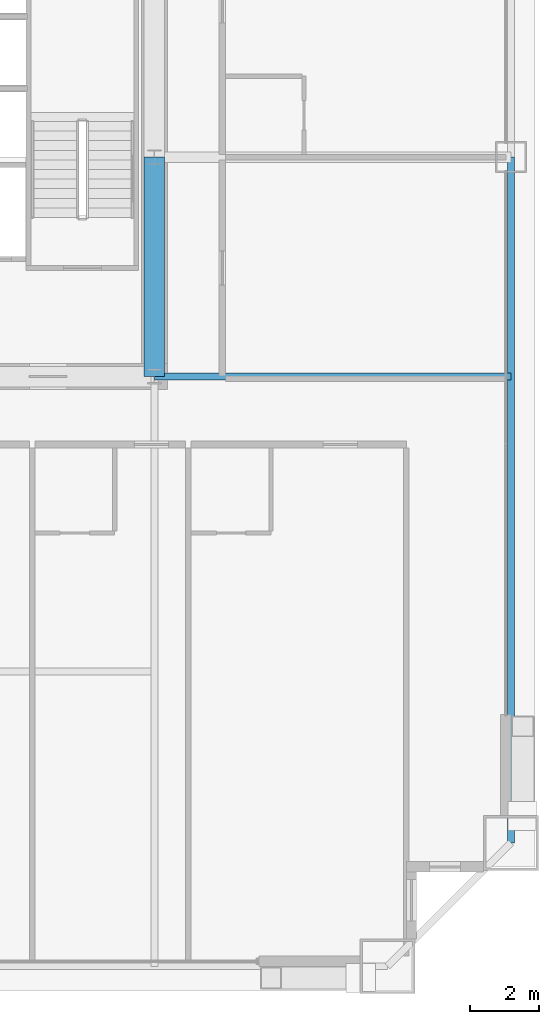
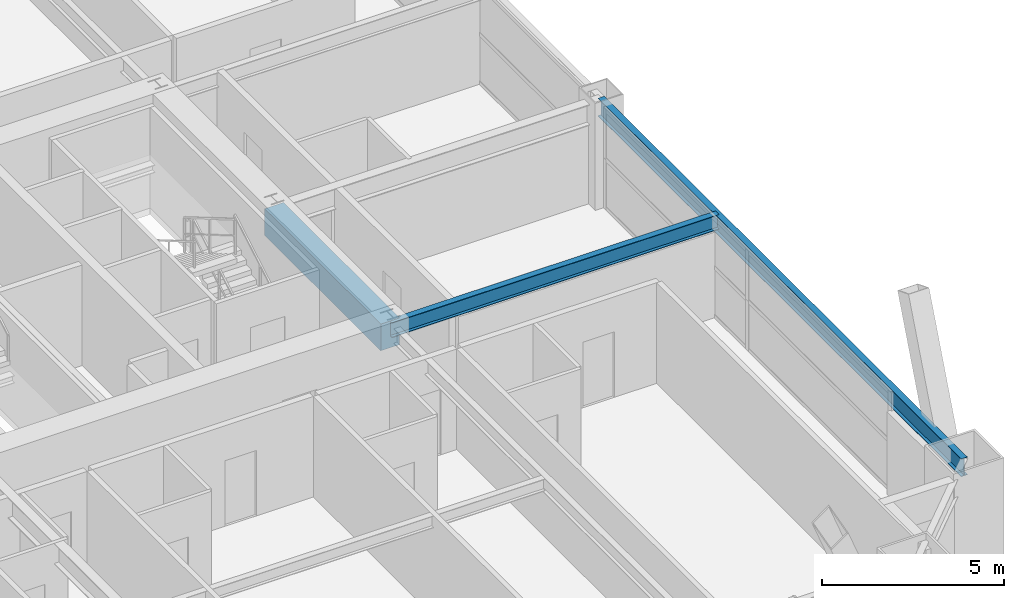
# One storey, part 19 of 43: 3 beams.
"""IFC4 building model written with IfcOpenShell, lengths in metres."""

from ifc_helpers import new_model, si_unit, direction, frame, origin, origin_2d, place, context, subcontext, project, spatial, rectangle, i_section, extrude, source, transform, mapped, material, material_profile, profile_set, type_object, element, save


model = new_model("IFC4")

# Units and contexts
model_context = context("Model", 3, precision=1e-05, world=origin(), true_north=direction((0.0, 1.0)))
body_context = subcontext(model_context, "Body", "Model", "MODEL_VIEW")
ifc_project = project(units=[si_unit("LENGTHUNIT", "METRE"), si_unit("AREAUNIT", "SQUARE_METRE"), si_unit("VOLUMEUNIT", "CUBIC_METRE"), si_unit("PLANEANGLEUNIT", "RADIAN"), si_unit("MASSUNIT", "GRAM", prefix="KILO"), si_unit("THERMODYNAMICTEMPERATUREUNIT", "KELVIN"), si_unit("POWERUNIT", "WATT")], contexts=[model_context])

# Site, building, storey
site_placement = place(None, origin())
site = spatial("IfcSite", under=ifc_project, at=site_placement, CompositionType="ELEMENT")
building_placement = place(site_placement, origin())
building = spatial("IfcBuilding", under=site, at=building_placement, Name="Yuzanri Waterfront Tower", CompositionType="ELEMENT")
storey_placement = place(building_placement, frame((0.0, 0.0, 93.800048828125)))
storey = spatial("IfcBuildingStorey", under=building, at=storey_placement, Name="L24", CompositionType="ELEMENT", Elevation=93.800048828125)

# Beams
ifc_material_1 = material(Name="Concrete C60", Category="concrete")
ifc_material_profile_1 = material_profile(ifc_material_1, rectangle(XDim=0.60009765625, YDim=0.89990234375, at=origin_2d()), Name="RC 600x900")
ifc_profile_set_1 = profile_set([ifc_material_profile_1], Name="Concrete C60")
beam_type_1 = type_object("IfcBeamType", Name="Core Coupling Lintel Concrete C60 600x900", PredefinedType="LINTEL", material=ifc_profile_set_1)
shared_shape_1 = source(origin(), body_context, "Body", "SweptSolid", [
    extrude(rectangle(XDim=0.60009765625, YDim=0.89990234375, at=origin_2d()), origin(), (0.0, 0.0, 1.0), 6.400146484375),
])
beam_1_placement = place(storey_placement, frame((50.199951171875, 19.39990234375, 2.929931640625), z_axis=(0.0, 1.0, 0.0), x_axis=(-1.0, 0.0, 0.0)))
element("IfcBeam", 1, at=beam_1_placement, inside=storey, type_object=beam_type_1, Name="L24 Core Tie Beam CE1", PredefinedType="LINTEL", context=body_context, shape_type="MappedRepresentation", body=[
    mapped(shared_shape_1, transform((0.0, 0.0, 0.0), scale=1.0)),
])
ifc_material_2 = material(Name="Steel Q355B", Category="steel")
ifc_material_profile_2 = material_profile(ifc_material_2, i_section(OverallWidth=0.199951171875, OverallDepth=0.60009765625, WebThickness=0.010986328125, FlangeThickness=0.01708984375, at=origin_2d()), Name="HN 600x200x11x17")
ifc_profile_set_2 = profile_set([ifc_material_profile_2], Name="Steel Q355B")
beam_type_2 = type_object("IfcBeamType", Name="Perimeter Spandrel Q355B HN 600x200", PredefinedType="SPANDREL", material=ifc_profile_set_2)
shared_shape_2 = source(origin(), body_context, "Body", "SweptSolid", [
    extrude(i_section(OverallWidth=0.199951171875, OverallDepth=0.60009765625, WebThickness=0.010986328125, FlangeThickness=0.01708984375, at=origin_2d()), origin(), (0.0, 0.0, 1.0), 20.0),
])
beam_2_placement = place(storey_placement, frame((60.60009765625, 5.800048828125, 3.079833984375), z_axis=(0.0, 1.0, 0.0), x_axis=(-1.0, 0.0, 0.0)))
element("IfcBeam", 2, at=beam_2_placement, inside=storey, type_object=beam_type_2, Name="L24 Perimeter Spandrel E1-E2", PredefinedType="SPANDREL", context=body_context, shape_type="MappedRepresentation", body=[
    mapped(shared_shape_2, transform((0.0, 0.0, 0.0), scale=1.0)),
])
ifc_material_3 = material(Name="Steel Q355B", Category="steel")
ifc_material_profile_3 = material_profile(ifc_material_3, i_section(OverallWidth=0.199951171875, OverallDepth=0.5, WebThickness=0.010009765625, FlangeThickness=0.01611328125, at=origin_2d()), Name="HN 500x200x10x16")
ifc_profile_set_3 = profile_set([ifc_material_profile_3], Name="Steel Q355B")
beam_type_3 = type_object("IfcBeamType", Name="Secondary Floor Beam Q355B HN 500x200", PredefinedType="BEAM", material=ifc_profile_set_3)
shared_shape_3 = source(origin(), body_context, "Body", "SweptSolid", [
    extrude(i_section(OverallWidth=0.199951171875, OverallDepth=0.5, WebThickness=0.010009765625, FlangeThickness=0.01611328125, at=origin_2d()), origin(), (0.0, 0.0, 1.0), 10.400146484375),
])
beam_3_placement = place(storey_placement, frame((50.199951171875, 19.39990234375, 3.1298828125), z_axis=(1.0, 0.0, 0.0), x_axis=(0.0, 1.0, 0.0)))
element("IfcBeam", 3, at=beam_3_placement, inside=storey, type_object=beam_type_3, Name="L24 East-South Core Line Beam", PredefinedType="BEAM", context=body_context, shape_type="MappedRepresentation", body=[
    mapped(shared_shape_3, transform((0.0, 0.0, 0.0), scale=1.0)),
])

save(model, "model.ifc")
